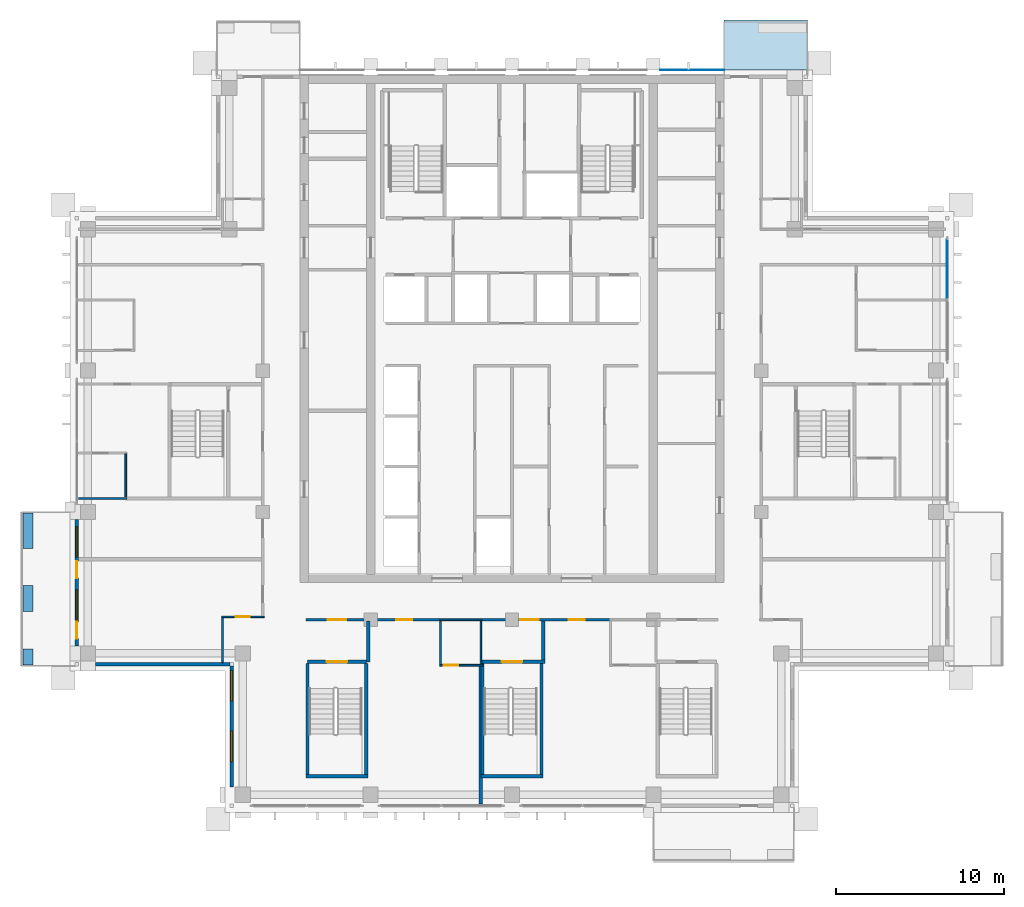
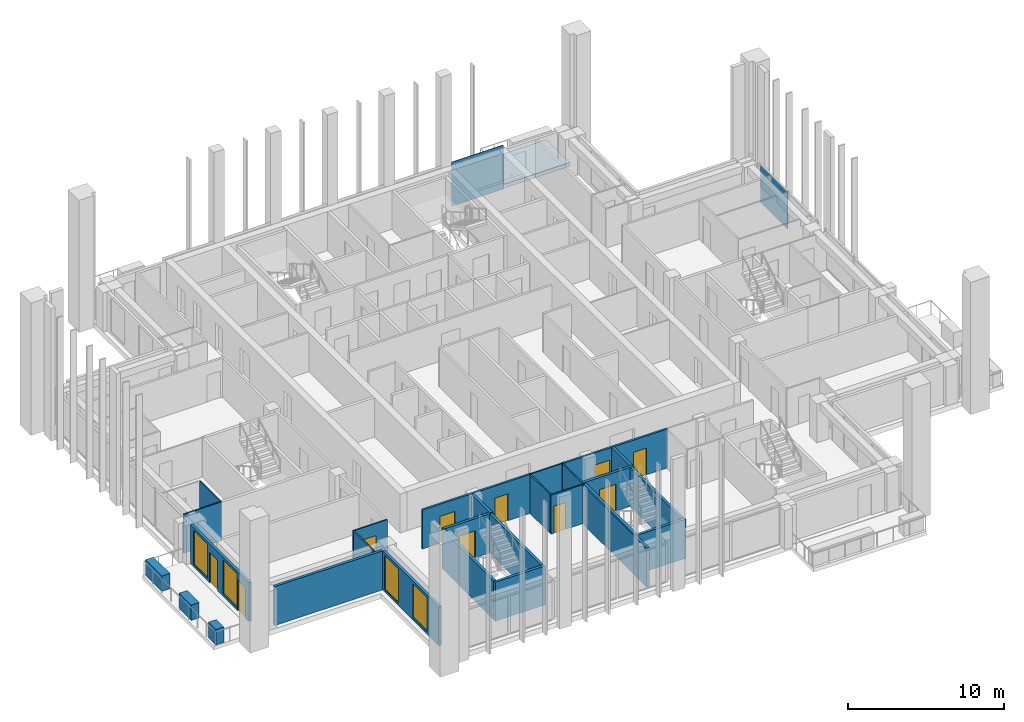
# One storey, part 9 of 20: 27 walls, 10 doors, 4 windows, 2 plates, 1 slab, 14 openings, 1 element without a shape of its own.
"""IFC4 building model written with IfcOpenShell, lengths in metres."""

from ifc_helpers import new_model, si_unit, direction, frame, frame_2d, origin, origin_2d, place, context, subcontext, project, spatial, polyline, rectangle, outline, extrude, material, layer, layer_set, type_object, element, fill, aggregate, save


model = new_model("IFC4")

# Units and contexts
model_context = context("Model", 3, precision=1e-05, world=origin(), true_north=direction((0.0, 1.0)))
body_context = subcontext(model_context, "Body", "Model", "MODEL_VIEW")
ifc_project = project(units=[si_unit("LENGTHUNIT", "METRE"), si_unit("AREAUNIT", "SQUARE_METRE"), si_unit("VOLUMEUNIT", "CUBIC_METRE"), si_unit("PLANEANGLEUNIT", "RADIAN"), si_unit("MASSUNIT", "GRAM", prefix="KILO")], contexts=[model_context])

# Site, building, storey
site_placement = place(None, origin())
site = spatial("IfcSite", under=ifc_project, at=site_placement, CompositionType="ELEMENT")
building_placement = place(site_placement, origin())
building = spatial("IfcBuilding", under=site, at=building_placement, Name="Vermilion Ogive Tower", CompositionType="ELEMENT")
storey_placement = place(building_placement, frame((0.0, 0.0, 223.449951171875)))
storey = spatial("IfcBuildingStorey", under=building, at=storey_placement, Name="L58", CompositionType="ELEMENT", Elevation=223.449951171875)

# Slab
ifc_material_1 = material(Name="Concrete B40", Category="concrete")
ifc_layer_1 = layer(ifc_material_1, 0.300048828125)
ifc_layer_set_1 = layer_set([ifc_layer_1], Name="Balcony slab")
slab_type = type_object("IfcSlabType", Name="Balcony slab", PredefinedType="FLOOR", material=ifc_layer_set_1)
slab_placement = place(storey_placement, frame((0.0, 0.0, -0.33984375)))
element("IfcSlab", 1, at=slab_placement, inside=storey, type_object=slab_type, Name="Balcony slab N101", PredefinedType="FLOOR", context=body_context, shape_type="SweptSolid", body=[
    extrude(outline(polyline([(17.550048828125, 25.030029296875), (12.60009765625, 25.030029296875), (12.60009765625, 22.050048828125), (17.550048828125, 22.050048828125), (17.550048828125, 25.030029296875)])), origin(), (0.0, 0.0, 1.0), 0.2998046875),
])

# Curtain wall, plate
ifc_material_2 = material(Name="Low-iron laminated glazing in aluminium frame", Category="aluminium")
curtain_wall_type = type_object("IfcCurtainWallType", Name="Curtain wall CW7", PredefinedType="NOTDEFINED", material=ifc_material_2)
curtain_wall_placement = place(storey_placement, origin())
curtain_wall = element("IfcCurtainWall", 2, at=curtain_wall_placement, inside=storey, type_object=curtain_wall_type, Name="Glazed skin E3", PredefinedType="NOTDEFINED")
ifc_material_3 = material(Name="Low-iron laminated glazing in aluminium frame", Category="aluminium")
ifc_layer_2 = layer(ifc_material_3, 0.031982421875)
ifc_layer_set_2 = layer_set([ifc_layer_2], Name="CW7 glazing panel 32")
plate_type_1 = type_object("IfcPlateType", Name="CW7 glazing panel 32", PredefinedType="CURTAIN_PANEL", material=ifc_layer_set_2)
plate_1_placement = place(storey_placement, frame((25.85009765625, 10.22998046875, 0.06005859375), z_axis=(0.0, 0.0, 1.0), x_axis=(0.0, 1.0, 0.0)))
plate_1 = element("IfcPlate", 3, at=plate_1_placement, type_object=plate_type_1, Name="CW7-E3 panel 2.1", PredefinedType="CURTAIN_PANEL", context=body_context, shape_type="SweptSolid", body=[
    extrude(rectangle(XDim=3.47998046875, YDim=0.031982421875, at=origin_2d()), origin(), (0.0, 0.0, 1.0), 2.929931640625),
])
aggregate(curtain_wall, [plate_1])

# Plate
ifc_material_4 = material(Name="Low-iron laminated glazing in aluminium frame", Category="aluminium")
ifc_layer_3 = layer(ifc_material_4, 0.031982421875)
ifc_layer_set_3 = layer_set([ifc_layer_3], Name="Glazed rainscreen sheet 32")
plate_type_2 = type_object("IfcPlateType", Name="Glazed rainscreen sheet 32", PredefinedType="SHEET", material=ifc_layer_set_3)
plate_2_placement = place(storey_placement, frame((10.7099609375, 22.06591796875, -0.39990234375), z_axis=(0.0, 0.0, 1.0), x_axis=(1.0, 0.0, 0.0)))
element("IfcPlate", 4, at=plate_2_placement, inside=storey, type_object=plate_type_2, Name="Glazed rainscreen sheet N6", PredefinedType="SHEET", context=body_context, shape_type="SweptSolid", body=[
    extrude(rectangle(XDim=3.820068359375, YDim=0.031982421875, at=origin_2d()), origin(), (0.0, 0.0, 1.0), 3.449951171875),
])

# Wall, opening, door
ifc_material_5 = material(Name="Gypsum board partition on steel studs", Category="steel")
ifc_layer_4 = layer(ifc_material_5, 0.10009765625)
ifc_layer_set_4 = layer_set([ifc_layer_4], Name="Partition 100 bath")
wall_type_1 = type_object("IfcWallType", Name="Partition 100 bath", PredefinedType="PARTITIONING", material=ifc_layer_set_4)
wall_1_placement = place(storey_placement, frame((-4.300048828125, -13.300048828125, 0.0), z_axis=(0.0, 0.0, 1.0), x_axis=(1.0, 0.0, 0.0)))
wall_1 = element("IfcWall", 5, at=wall_1_placement, inside=storey, type_object=wall_type_1, Name="L58-W-W002", PredefinedType="PARTITIONING", context=body_context, shape_type="SweptSolid", body=[
    extrude(rectangle(XDim=2.550048828125, YDim=0.10009765625, at=frame_2d((1.27490234375, 0.0))), origin(), (0.0, 0.0, 1.0), 3.050048828125),
])
opening_1_placement = place(wall_1_placement, frame((0.25, 0.0, 0.0)))
opening_1 = element("IfcOpeningElement", 6, at=opening_1_placement, cuts=wall_1, Name="Opening D5G1010", PredefinedType="OPENING", context=body_context, shape_type="SweptSolid", body=[
    extrude(rectangle(XDim=0.85009765625, YDim=2.10009765625, at=frame_2d((0.425048828125, 1.050048828125))), frame((0.0, 0.06005859375, 0.0), z_axis=(0.0, -1.0, 0.0), x_axis=(1.0, 0.0, 0.0)), (0.0, 0.0, 1.0), 0.1201171875),
])
ifc_material_6 = material(Name="Timber door leaf", Category="wood")
door_type_1 = type_object("IfcDoorType", Name="Bath door 850 x 2100 FD30", OperationType="SINGLE_SWING_LEFT", PredefinedType="DOOR", material=ifc_material_6)
door_1_placement = place(opening_1_placement, origin())
door_1 = element("IfcDoor", 7, at=door_1_placement, inside=storey, type_object=door_type_1, Name="L58-D-D010", OperationType="SINGLE_SWING_LEFT", OverallHeight=2.10009765625, OverallWidth=0.85009765625, PredefinedType="DOOR", context=body_context, shape_type="SweptSolid", body=[
    extrude(rectangle(XDim=0.85009765625, YDim=2.10009765625, at=frame_2d((0.425048828125, 1.050048828125))), frame((0.0, 0.02490234375, 0.0), z_axis=(0.0, -1.0, 0.0), x_axis=(1.0, 0.0, 0.0)), (0.0, 0.0, 1.0), 0.050048828125),
])
fill(opening_1, door_1)

# Wall
wall_2_placement = place(storey_placement, frame((-4.300048828125, -10.60009765625, 0.0), z_axis=(0.0, 0.0, 1.0), x_axis=(1.0, 0.0, 0.0)))
element("IfcWall", 8, at=wall_2_placement, inside=storey, type_object=wall_type_1, Name="L58-W-W008", PredefinedType="PARTITIONING", context=body_context, shape_type="SweptSolid", body=[
    extrude(rectangle(XDim=2.5, YDim=0.10009765625, at=frame_2d((1.25, 0.0))), origin(), (0.0, 0.0, 1.0), 3.050048828125),
])

# Wall, opening, door
wall_3_placement = place(storey_placement, frame((-17.25, -10.429931640625, 0.0), z_axis=(0.0, 0.0, 1.0), x_axis=(1.0, 0.0, 0.0)))
wall_3 = element("IfcWall", 9, at=wall_3_placement, inside=storey, type_object=wall_type_1, Name="L58-W-W013", PredefinedType="PARTITIONING", context=body_context, shape_type="SweptSolid", body=[
    extrude(rectangle(XDim=2.52490234375, YDim=0.10009765625, at=frame_2d((1.262451171875, 0.0))), origin(), (0.0, 0.0, 1.0), 3.050048828125),
])
opening_2_placement = place(wall_3_placement, frame((0.824951171875, 0.0, 0.0)))
opening_2 = element("IfcOpeningElement", 10, at=opening_2_placement, cuts=wall_3, Name="Opening D5G1002", PredefinedType="OPENING", context=body_context, shape_type="SweptSolid", body=[
    extrude(rectangle(XDim=0.85009765625, YDim=2.10009765625, at=frame_2d((0.425048828125, 1.050048828125))), frame((0.0, 0.06005859375, 0.0), z_axis=(0.0, -1.0, 0.0), x_axis=(1.0, 0.0, 0.0)), (0.0, 0.0, 1.0), 0.1201171875),
])
door_2_placement = place(opening_2_placement, origin())
door_2 = element("IfcDoor", 11, at=door_2_placement, inside=storey, type_object=door_type_1, Name="L58-D-D002", OperationType="SINGLE_SWING_RIGHT", OverallHeight=2.10009765625, OverallWidth=0.85009765625, PredefinedType="DOOR", context=body_context, shape_type="SweptSolid", body=[
    extrude(rectangle(XDim=0.85009765625, YDim=2.10009765625, at=frame_2d((0.425048828125, 1.050048828125))), frame((0.0, 0.02490234375, 0.0), z_axis=(0.0, -1.0, 0.0), x_axis=(1.0, 0.0, 0.0)), (0.0, 0.0, 1.0), 0.050048828125),
])
fill(opening_2, door_2)

# Walls
wall_4_placement = place(storey_placement, frame((-25.75, -3.39990234375, 0.0), z_axis=(0.0, 0.0, 1.0), x_axis=(1.0, 0.0, 0.0)))
element("IfcWall", 12, at=wall_4_placement, inside=storey, type_object=wall_type_1, Name="L58-W-W016", PredefinedType="PARTITIONING", context=body_context, shape_type="SweptSolid", body=[
    extrude(rectangle(XDim=2.85009765625, YDim=0.10009765625, at=frame_2d((1.425048828125, 0.0))), origin(), (0.0, 0.0, 1.0), 3.050048828125),
])
wall_5_placement = place(storey_placement, frame((-22.949951171875, -3.300048828125, 0.0), z_axis=(0.0, 0.0, 1.0), x_axis=(0.0, 1.0, 0.0)))
element("IfcWall", 13, at=wall_5_placement, inside=storey, type_object=wall_type_1, Name="L58-W-W039", PredefinedType="PARTITIONING", context=body_context, shape_type="SweptSolid", body=[
    extrude(rectangle(XDim=2.550048828125, YDim=0.10009765625, at=frame_2d((1.27490234375, 0.0))), origin(), (0.0, 0.0, 1.0), 3.050048828125),
])
wall_6_placement = place(storey_placement, frame((-17.199951171875, -13.14990234375, 0.0), z_axis=(0.0, 0.0, 1.0), x_axis=(0.0, 1.0, 0.0)))
element("IfcWall", 14, at=wall_6_placement, inside=storey, type_object=wall_type_1, Name="L58-W-W042", PredefinedType="PARTITIONING", context=body_context, shape_type="SweptSolid", body=[
    extrude(rectangle(XDim=2.669921875, YDim=0.10009765625, at=frame_2d((1.3349609375, 0.0))), origin(), (0.0, 0.0, 1.0), 3.050048828125),
])
for number, where, z_axis, x_axis, name in (
    (15, (-4.25, -13.25, 0.0), (0.0, 0.0, 1.0), (0.0, 1.0, 0.0), "L58-W-W049"),
    (16, (-1.85009765625, -13.25, 0.0), (0.0, 0.0, 1.0), (0.0, 1.0, 0.0), "L58-W-W051"),
):
    element("IfcWall", number, at=place(storey_placement, frame(where, z_axis=z_axis, x_axis=x_axis)), inside=storey, type_object=wall_type_1, Name=name, PredefinedType="PARTITIONING", context=body_context, shape_type="SweptSolid", body=[
        extrude(rectangle(XDim=2.574951171875, YDim=0.10009765625, at=frame_2d((1.28759765625, 0.0))), origin(), (0.0, 0.0, 1.0), 3.050048828125),
    ])

# Wall, openings, doors
ifc_material_7 = material(Name="Gypsum board partition on steel studs", Category="steel")
ifc_layer_5 = layer(ifc_material_7, 0.14990234375)
ifc_layer_set_5 = layer_set([ifc_layer_5], Name="Partition 150 corridor")
wall_type_2 = type_object("IfcWallType", Name="Partition 150 corridor", PredefinedType="PARTITIONING", material=ifc_layer_set_5)
wall_7_placement = place(storey_placement, frame((-12.25, -10.60009765625, 0.0), z_axis=(0.0, 0.0, 1.0), x_axis=(1.0, 0.0, 0.0)))
wall_7 = element("IfcWall", 17, at=wall_7_placement, inside=storey, type_object=wall_type_2, Name="L58-W-W007", PredefinedType="PARTITIONING", context=body_context, shape_type="SweptSolid", body=[
    extrude(rectangle(XDim=8.050048828125, YDim=0.14990234375, at=frame_2d((4.02490234375, 0.0))), origin(), (0.0, 0.0, 1.0), 3.050048828125),
])
opening_3_placement = place(wall_7_placement, frame((5.375, 0.0, 0.0)))
opening_3 = element("IfcOpeningElement", 18, at=opening_3_placement, cuts=wall_7, Name="Opening D5G1009", PredefinedType="OPENING", context=body_context, shape_type="SweptSolid", body=[
    extrude(rectangle(XDim=0.949951171875, YDim=2.10009765625, at=frame_2d((0.47509765625, 1.050048828125))), frame((0.0, 0.0849609375, 0.0), z_axis=(0.0, -1.0, 0.0), x_axis=(1.0, 0.0, 0.0)), (0.0, 0.0, 1.0), 0.169921875),
])
opening_4_placement = place(wall_7_placement, frame((1.300048828125, 0.0, 0.0)))
opening_4 = element("IfcOpeningElement", 19, at=opening_4_placement, cuts=wall_7, Name="Opening D5G1023", PredefinedType="OPENING", context=body_context, shape_type="SweptSolid", body=[
    extrude(rectangle(XDim=1.10009765625, YDim=2.10009765625, at=frame_2d((0.550048828125, 1.050048828125))), frame((0.0, 0.0849609375, 0.0), z_axis=(0.0, -1.0, 0.0), x_axis=(1.0, 0.0, 0.0)), (0.0, 0.0, 1.0), 0.169921875),
])
ifc_material_8 = material(Name="Timber door leaf", Category="wood")
door_type_2 = type_object("IfcDoorType", Name="Stair door 1100 x 2100 FD60S", OperationType="SINGLE_SWING_LEFT", PredefinedType="DOOR", material=ifc_material_8)
door_3_placement = place(opening_4_placement, origin())
door_3 = element("IfcDoor", 20, at=door_3_placement, inside=storey, type_object=door_type_2, Name="L58-D-D023", OperationType="SINGLE_SWING_RIGHT", OverallHeight=2.10009765625, OverallWidth=1.10009765625, PredefinedType="DOOR", context=body_context, shape_type="SweptSolid", body=[
    extrude(rectangle(XDim=1.10009765625, YDim=2.10009765625, at=frame_2d((0.550048828125, 1.050048828125))), frame((0.0, 0.02490234375, 0.0), z_axis=(0.0, -1.0, 0.0), x_axis=(1.0, 0.0, 0.0)), (0.0, 0.0, 1.0), 0.050048828125),
])
fill(opening_4, door_3)
ifc_material_9 = material(Name="Timber door leaf", Category="wood")
door_type_3 = type_object("IfcDoorType", Name="Unit door 950 x 2100 FD30S", OperationType="SINGLE_SWING_LEFT", PredefinedType="DOOR", material=ifc_material_9)
door_4_placement = place(opening_3_placement, origin())
door_4 = element("IfcDoor", 21, at=door_4_placement, inside=storey, type_object=door_type_3, Name="L58-D-D009", OperationType="SINGLE_SWING_LEFT", OverallHeight=2.10009765625, OverallWidth=0.949951171875, PredefinedType="DOOR", context=body_context, shape_type="SweptSolid", body=[
    extrude(rectangle(XDim=0.949951171875, YDim=2.10009765625, at=frame_2d((0.47509765625, 1.050048828125))), frame((0.0, 0.02490234375, 0.0), z_axis=(0.0, -1.0, 0.0), x_axis=(1.0, 0.0, 0.0)), (0.0, 0.0, 1.0), 0.050048828125),
])
fill(opening_3, door_4)

wall_8_placement = place(storey_placement, frame((-1.89990234375, -10.60009765625, 0.0), z_axis=(0.0, 0.0, 1.0), x_axis=(1.0, 0.0, 0.0)))
wall_8 = element("IfcWall", 22, at=wall_8_placement, inside=storey, type_object=wall_type_2, Name="L58-W-W009", PredefinedType="PARTITIONING", context=body_context, shape_type="SweptSolid", body=[
    extrude(rectangle(XDim=7.7998046875, YDim=0.14990234375, at=frame_2d((3.89990234375, 0.0))), origin(), (0.0, 0.0, 1.0), 3.050048828125),
])
opening_5_placement = place(wall_8_placement, frame((5.27490234375, 0.0, 0.0)))
opening_5 = element("IfcOpeningElement", 23, at=opening_5_placement, cuts=wall_8, Name="Opening D5G1011", PredefinedType="OPENING", context=body_context, shape_type="SweptSolid", body=[
    extrude(rectangle(XDim=0.949951171875, YDim=2.10009765625, at=frame_2d((0.47509765625, 1.050048828125))), frame((0.0, 0.0849609375, 0.0), z_axis=(0.0, -1.0, 0.0), x_axis=(1.0, 0.0, 0.0)), (0.0, 0.0, 1.0), 0.169921875),
])
opening_6_placement = place(wall_8_placement, frame((2.39990234375, 0.0, 0.0)))
opening_6 = element("IfcOpeningElement", 24, at=opening_6_placement, cuts=wall_8, Name="Opening D5G1025", PredefinedType="OPENING", context=body_context, shape_type="SweptSolid", body=[
    extrude(rectangle(XDim=1.10009765625, YDim=2.10009765625, at=frame_2d((0.550048828125, 1.050048828125))), frame((0.0, 0.0849609375, 0.0), z_axis=(0.0, -1.0, 0.0), x_axis=(1.0, 0.0, 0.0)), (0.0, 0.0, 1.0), 0.169921875),
])
door_5_placement = place(opening_6_placement, origin())
door_5 = element("IfcDoor", 25, at=door_5_placement, inside=storey, type_object=door_type_2, Name="L58-D-D025", OperationType="SINGLE_SWING_LEFT", OverallHeight=2.10009765625, OverallWidth=1.10009765625, PredefinedType="DOOR", context=body_context, shape_type="SweptSolid", body=[
    extrude(rectangle(XDim=1.10009765625, YDim=2.10009765625, at=frame_2d((0.550048828125, 1.050048828125))), frame((0.0, 0.02490234375, 0.0), z_axis=(0.0, -1.0, 0.0), x_axis=(1.0, 0.0, 0.0)), (0.0, 0.0, 1.0), 0.050048828125),
])
fill(opening_6, door_5)
door_6_placement = place(opening_5_placement, origin())
door_6 = element("IfcDoor", 26, at=door_6_placement, inside=storey, type_object=door_type_3, Name="L58-D-D011", OperationType="SINGLE_SWING_LEFT", OverallHeight=2.10009765625, OverallWidth=0.949951171875, PredefinedType="DOOR", context=body_context, shape_type="SweptSolid", body=[
    extrude(rectangle(XDim=0.949951171875, YDim=2.10009765625, at=frame_2d((0.47509765625, 1.050048828125))), frame((0.0, 0.02490234375, 0.0), z_axis=(0.0, -1.0, 0.0), x_axis=(1.0, 0.0, 0.0)), (0.0, 0.0, 1.0), 0.050048828125),
])
fill(opening_5, door_6)

# Walls
ifc_material_10 = material(Name="Gypsum board partition on steel studs", Category="steel")
ifc_layer_6 = layer(ifc_material_10, 0.199951171875)
ifc_layer_set_6 = layer_set([ifc_layer_6], Name="Partition 200 party")
wall_type_3 = type_object("IfcWallType", Name="Partition 200 party", PredefinedType="PARTITIONING", material=ifc_layer_set_6)
wall_9_placement = place(storey_placement, frame((-8.550048828125, -13.10009765625, 0.0), z_axis=(0.0, 0.0, 1.0), x_axis=(0.0, 1.0, 0.0)))
element("IfcWall", 27, at=wall_9_placement, inside=storey, type_object=wall_type_3, Name="L58-W-W048", PredefinedType="PARTITIONING", context=body_context, shape_type="SweptSolid", body=[
    extrude(rectangle(XDim=2.425048828125, YDim=0.199951171875, at=frame_2d((1.21240234375, 0.0))), origin(), (0.0, 0.0, 1.0), 3.050048828125),
])
ifc_material_11 = material(Name="Concrete B60", Category="concrete")
ifc_layer_7 = layer(ifc_material_11, 0.199951171875)
ifc_layer_set_7 = layer_set([ifc_layer_7], Name="Stair shaft wall 200 Concrete B60")
wall_type_4 = type_object("IfcWallType", Name="Stair shaft wall 200 Concrete B60", PredefinedType="SOLIDWALL", material=ifc_layer_set_7)
wall_10_placement = place(storey_placement, frame((-1.847900390625, -19.89990234375, 0.0), z_axis=(0.0, 0.0, 1.0), x_axis=(1.0, 0.0, 0.0)))
element("IfcWall", 28, at=wall_10_placement, inside=storey, type_object=wall_type_4, Name="L58-W-W001", PredefinedType="SOLIDWALL", context=body_context, shape_type="SweptSolid", body=[
    extrude(rectangle(XDim=3.69580078125, YDim=0.199951171875, at=frame_2d((1.847900390625, 0.0))), origin(), (0.0, 0.0, 1.0), 3.050048828125),
])

# Wall, opening, door
wall_11_placement = place(storey_placement, frame((-12.14990234375, -13.10009765625, 0.0), z_axis=(0.0, 0.0, 1.0), x_axis=(1.0, 0.0, 0.0)))
wall_11 = element("IfcWall", 29, at=wall_11_placement, inside=storey, type_object=wall_type_4, Name="L58-W-W004", PredefinedType="SOLIDWALL", context=body_context, shape_type="SweptSolid", body=[
    extrude(rectangle(XDim=3.5, YDim=0.199951171875, at=frame_2d((1.75, 0.0))), origin(), (0.0, 0.0, 1.0), 3.050048828125),
])
opening_7_placement = place(wall_11_placement, frame((1.14990234375, 0.0, 0.0)))
opening_7 = element("IfcOpeningElement", 30, at=opening_7_placement, cuts=wall_11, Name="Opening D5G1024", PredefinedType="OPENING", context=body_context, shape_type="SweptSolid", body=[
    extrude(rectangle(XDim=1.199951171875, YDim=2.10009765625, at=frame_2d((0.60009765625, 1.050048828125))), frame((0.0, 0.10986328125, 0.0), z_axis=(0.0, -1.0, 0.0), x_axis=(1.0, 0.0, 0.0)), (0.0, 0.0, 1.0), 0.219970703125),
])
ifc_material_12 = material(Name="Timber door leaf", Category="wood")
door_type_4 = type_object("IfcDoorType", Name="Stair door 1200 x 2100 FD60S", OperationType="SINGLE_SWING_LEFT", PredefinedType="DOOR", material=ifc_material_12)
door_7_placement = place(opening_7_placement, origin())
door_7 = element("IfcDoor", 31, at=door_7_placement, inside=storey, type_object=door_type_4, Name="L58-D-D024", OperationType="SINGLE_SWING_RIGHT", OverallHeight=2.10009765625, OverallWidth=1.199951171875, PredefinedType="DOOR", context=body_context, shape_type="SweptSolid", body=[
    extrude(rectangle(XDim=1.199951171875, YDim=2.10009765625, at=frame_2d((0.60009765625, 1.050048828125))), frame((0.0, 0.02490234375, 0.0), z_axis=(0.0, -1.0, 0.0), x_axis=(1.0, 0.0, 0.0)), (0.0, 0.0, 1.0), 0.050048828125),
])
fill(opening_7, door_7)

wall_12_placement = place(storey_placement, frame((-1.798095703125, -13.10009765625, 0.0), z_axis=(0.0, 0.0, 1.0), x_axis=(1.0, 0.0, 0.0)))
wall_12 = element("IfcWall", 32, at=wall_12_placement, inside=storey, type_object=wall_type_4, Name="L58-W-W005", PredefinedType="SOLIDWALL", context=body_context, shape_type="SweptSolid", body=[
    extrude(rectangle(XDim=3.74609375, YDim=0.199951171875, at=frame_2d((1.873046875, 0.0))), origin(), (0.0, 0.0, 1.0), 3.050048828125),
])
opening_8_placement = place(wall_12_placement, frame((1.197998046875, 0.0, 0.0)))
opening_8 = element("IfcOpeningElement", 33, at=opening_8_placement, cuts=wall_12, Name="Opening D5G1026", PredefinedType="OPENING", context=body_context, shape_type="SweptSolid", body=[
    extrude(rectangle(XDim=1.199951171875, YDim=2.10009765625, at=frame_2d((0.60009765625, 1.050048828125))), frame((0.0, 0.10986328125, 0.0), z_axis=(0.0, -1.0, 0.0), x_axis=(1.0, 0.0, 0.0)), (0.0, 0.0, 1.0), 0.219970703125),
])
door_8_placement = place(opening_8_placement, origin())
door_8 = element("IfcDoor", 34, at=door_8_placement, inside=storey, type_object=door_type_4, Name="L58-D-D026", OperationType="SINGLE_SWING_RIGHT", OverallHeight=2.10009765625, OverallWidth=1.199951171875, PredefinedType="DOOR", context=body_context, shape_type="SweptSolid", body=[
    extrude(rectangle(XDim=1.199951171875, YDim=2.10009765625, at=frame_2d((0.60009765625, 1.050048828125))), frame((0.0, 0.02490234375, 0.0), z_axis=(0.0, -1.0, 0.0), x_axis=(1.0, 0.0, 0.0)), (0.0, 0.0, 1.0), 0.050048828125),
])
fill(opening_8, door_8)

# Walls
wall_13_placement = place(storey_placement, frame((-1.85009765625, -21.550048828125, 0.0), z_axis=(0.0, 0.0, 1.0), x_axis=(0.0, 1.0, 0.0)))
element("IfcWall", 35, at=wall_13_placement, inside=storey, type_object=wall_type_4, Name="L58-W-W050", PredefinedType="SOLIDWALL", context=body_context, shape_type="SweptSolid", body=[
    extrude(rectangle(XDim=8.199951171875, YDim=0.199951171875, at=frame_2d((4.10009765625, 0.0))), origin(), (0.0, 0.0, 1.0), 3.050048828125),
])
for number, where, z_axis, x_axis, name in (
    (36, (-1.75, -19.798095703125, 0.0), (0.0, 0.0, 1.0), (0.0, 1.0, 0.0), "L58-W-W052"),
    (37, (1.75, -19.798095703125, 0.0), (0.0, 0.0, 1.0), (0.0, 1.0, 0.0), "L58-W-W053"),
):
    element("IfcWall", number, at=place(storey_placement, frame(where, z_axis=z_axis, x_axis=x_axis)), inside=storey, type_object=wall_type_4, Name=name, PredefinedType="SOLIDWALL", context=body_context, shape_type="SweptSolid", body=[
        extrude(rectangle(XDim=6.59619140625, YDim=0.199951171875, at=frame_2d((3.298095703125, 0.0))), origin(), (0.0, 0.0, 1.0), 3.050048828125),
    ])
wall_14_placement = place(storey_placement, frame((1.85009765625, -12.998046875, 0.0), z_axis=(0.0, 0.0, 1.0), x_axis=(0.0, 1.0, 0.0)))
element("IfcWall", 38, at=wall_14_placement, inside=storey, type_object=wall_type_4, Name="L58-W-W054", PredefinedType="SOLIDWALL", context=body_context, shape_type="SweptSolid", body=[
    extrude(rectangle(XDim=2.322998046875, YDim=0.199951171875, at=frame_2d((1.16162109375, 0.0))), origin(), (0.0, 0.0, 1.0), 3.050048828125),
])
wall_15_placement = place(storey_placement, frame((-12.25, -19.89990234375, 0.0), z_axis=(0.0, 0.0, 1.0), x_axis=(1.0, 0.0, 0.0)))
element("IfcWall", 39, at=wall_15_placement, inside=storey, type_object=wall_type_4, Name="L58-SW-ST3-S1", PredefinedType="SOLIDWALL", context=body_context, shape_type="SweptSolid", body=[
    extrude(rectangle(XDim=3.699951171875, YDim=0.199951171875, at=frame_2d((1.85009765625, 0.0))), origin(), (0.0, 0.0, 1.0), 3.050048828125),
])
for number, where, z_axis, x_axis, name in (
    (40, (-12.14990234375, -19.800048828125, 0.0), (0.0, 0.0, 1.0), (0.0, 1.0, 0.0), "L58-SW-ST3-W1"),
    (41, (-8.64990234375, -19.800048828125, 0.0), (0.0, 0.0, 1.0), (0.0, 1.0, 0.0), "L58-SW-ST3-E1"),
):
    element("IfcWall", number, at=place(storey_placement, frame(where, z_axis=z_axis, x_axis=x_axis)), inside=storey, type_object=wall_type_4, Name=name, PredefinedType="SOLIDWALL", context=body_context, shape_type="SweptSolid", body=[
        extrude(rectangle(XDim=6.60009765625, YDim=0.199951171875, at=frame_2d((3.300048828125, 0.0))), origin(), (0.0, 0.0, 1.0), 3.050048828125),
    ])
ifc_material_13 = material(Name="Concrete B40", Category="concrete")
ifc_layer_8 = layer(ifc_material_13, 0.60009765625)
ifc_layer_set_8 = layer_set([ifc_layer_8], Name="Structural planter")
wall_type_5 = type_object("IfcWallType", Name="Structural planter", PredefinedType="USERDEFINED", material=ifc_layer_set_8)
wall_16_placement = place(storey_placement, frame((-28.75, -4.260009765625, -0.0400390625), z_axis=(0.0, 0.0, 1.0), x_axis=(0.0, -1.0, 0.0)))
element("IfcWall", 42, at=wall_16_placement, inside=storey, type_object=wall_type_5, Name="Planter W03A1", ObjectType="PLANTER", PredefinedType="USERDEFINED", context=body_context, shape_type="SweptSolid", body=[
    extrude(rectangle(XDim=2.114990234375, YDim=0.60009765625, at=frame_2d((1.0576171875, 0.0))), origin(), (0.0, 0.0, 1.0), 1.2001953125),
])
wall_17_placement = place(storey_placement, frame((-28.75, -8.574951171875, -0.0400390625), z_axis=(0.0, 0.0, 1.0), x_axis=(0.0, -1.0, 0.0)))
element("IfcWall", 43, at=wall_17_placement, inside=storey, type_object=wall_type_5, Name="Planter W03A2", ObjectType="PLANTER", PredefinedType="USERDEFINED", context=body_context, shape_type="SweptSolid", body=[
    extrude(rectangle(XDim=1.550048828125, YDim=0.60009765625, at=frame_2d((0.77490234375, 0.0))), origin(), (0.0, 0.0, 1.0), 1.2001953125),
])
wall_18_placement = place(storey_placement, frame((-28.75, -12.324951171875, -0.0400390625), z_axis=(0.0, 0.0, 1.0), x_axis=(0.0, -1.0, 0.0)))
element("IfcWall", 44, at=wall_18_placement, inside=storey, type_object=wall_type_5, Name="Planter W03A3", ObjectType="PLANTER", PredefinedType="USERDEFINED", context=body_context, shape_type="SweptSolid", body=[
    extrude(rectangle(XDim=0.965087890625, YDim=0.60009765625, at=frame_2d((0.482421875, 0.0))), origin(), (0.0, 0.0, 1.0), 1.2001953125),
])

# Wall, openings, doors, windows
ifc_material_14 = material(Name="Aluminium window wall framing", Category="aluminium")
ifc_layer_9 = layer(ifc_material_14, 0.199951171875)
ifc_layer_set_9 = layer_set([ifc_layer_9], Name="Window wall")
wall_type_6 = type_object("IfcWallType", Name="Window wall", PredefinedType="STANDARD", material=ifc_layer_set_9)
wall_19_placement = place(storey_placement, frame((-25.85009765625, -4.64990234375, 0.0), z_axis=(0.0, 0.0, 1.0), x_axis=(0.0, -1.0, 0.0)))
wall_19 = element("IfcWall", 45, at=wall_19_placement, inside=storey, type_object=wall_type_6, Name="Window wall W3", PredefinedType="STANDARD", context=body_context, shape_type="SweptSolid", body=[
    extrude(rectangle(XDim=7.5, YDim=0.199951171875, at=frame_2d((3.75, 0.0))), origin(), (0.0, 0.0, 1.0), 3.050048828125),
])
opening_9_placement = place(wall_19_placement, frame((4.175048828125, 0.0, 0.199951171875)))
opening_9 = element("IfcOpeningElement", 46, at=opening_9_placement, cuts=wall_19, Name="Opening W1-W97", PredefinedType="OPENING", context=body_context, shape_type="SweptSolid", body=[
    extrude(rectangle(XDim=1.800048828125, YDim=2.64990234375, at=frame_2d((0.89990234375, 1.324951171875))), frame((0.0, 0.10986328125, 0.0), z_axis=(0.0, -1.0, 0.0), x_axis=(1.0, 0.0, 0.0)), (0.0, 0.0, 1.0), 0.219970703125),
])
opening_10_placement = place(wall_19_placement, frame((6.074951171875, 0.0, 0.0)))
opening_10 = element("IfcOpeningElement", 47, at=opening_10_placement, cuts=wall_19, Name="Opening D1-W97", PredefinedType="OPENING", context=body_context, shape_type="SweptSolid", body=[
    extrude(rectangle(XDim=1.0, YDim=2.39990234375, at=frame_2d((0.5, 1.199951171875))), frame((0.0, 0.10986328125, 0.0), z_axis=(0.0, -1.0, 0.0), x_axis=(1.0, 0.0, 0.0)), (0.0, 0.0, 1.0), 0.219970703125),
])
opening_11_placement = place(wall_19_placement, frame((0.425048828125, 0.0, 0.199951171875)))
opening_11 = element("IfcOpeningElement", 48, at=opening_11_placement, cuts=wall_19, Name="Opening W1-W98", PredefinedType="OPENING", context=body_context, shape_type="SweptSolid", body=[
    extrude(rectangle(XDim=1.800048828125, YDim=2.64990234375, at=frame_2d((0.89990234375, 1.324951171875))), frame((0.0, 0.10986328125, 0.0), z_axis=(0.0, -1.0, 0.0), x_axis=(1.0, 0.0, 0.0)), (0.0, 0.0, 1.0), 0.219970703125),
])
opening_12_placement = place(wall_19_placement, frame((2.47509765625, 0.0, 0.0)))
opening_12 = element("IfcOpeningElement", 49, at=opening_12_placement, cuts=wall_19, Name="Opening D1-W98", PredefinedType="OPENING", context=body_context, shape_type="SweptSolid", body=[
    extrude(rectangle(XDim=1.0, YDim=2.39990234375, at=frame_2d((0.5, 1.199951171875))), frame((0.0, 0.10986328125, 0.0), z_axis=(0.0, -1.0, 0.0), x_axis=(1.0, 0.0, 0.0)), (0.0, 0.0, 1.0), 0.219970703125),
])
ifc_material_15 = material(Name="Aluminium framed glazed door", Category="aluminium")
door_type_5 = type_object("IfcDoorType", Name="Balcony door D1", OperationType="SINGLE_SWING_LEFT", PredefinedType="DOOR", material=ifc_material_15)
door_9_placement = place(opening_10_placement, origin())
door_9 = element("IfcDoor", 50, at=door_9_placement, inside=storey, type_object=door_type_5, Name="Balcony door W97", OperationType="SINGLE_SWING_LEFT", OverallHeight=2.39990234375, OverallWidth=1.0, PredefinedType="DOOR", context=body_context, shape_type="SweptSolid", body=[
    extrude(rectangle(XDim=1.0, YDim=2.39990234375, at=frame_2d((0.5, 1.199951171875))), frame((0.0, 0.02490234375, 0.0), z_axis=(0.0, -1.0, 0.0), x_axis=(1.0, 0.0, 0.0)), (0.0, 0.0, 1.0), 0.050048828125),
])
fill(opening_10, door_9)
door_10_placement = place(opening_12_placement, origin())
door_10 = element("IfcDoor", 51, at=door_10_placement, inside=storey, type_object=door_type_5, Name="Balcony door W98", OperationType="SINGLE_SWING_LEFT", OverallHeight=2.39990234375, OverallWidth=1.0, PredefinedType="DOOR", context=body_context, shape_type="SweptSolid", body=[
    extrude(rectangle(XDim=1.0, YDim=2.39990234375, at=frame_2d((0.5, 1.199951171875))), frame((0.0, 0.02490234375, 0.0), z_axis=(0.0, -1.0, 0.0), x_axis=(1.0, 0.0, 0.0)), (0.0, 0.0, 1.0), 0.050048828125),
])
fill(opening_12, door_10)
ifc_material_16 = material(Name="Aluminium framed double glazing", Category="aluminium")
window_type = type_object("IfcWindowType", Name="Guest window W1", PartitioningType="SINGLE_PANEL", PredefinedType="WINDOW", material=ifc_material_16)
window_1_placement = place(opening_9_placement, origin())
window_1 = element("IfcWindow", 52, at=window_1_placement, inside=storey, type_object=window_type, Name="Window W97", OverallHeight=2.64990234375, OverallWidth=1.800048828125, PartitioningType="SINGLE_PANEL", PredefinedType="WINDOW", context=body_context, shape_type="SweptSolid", body=[
    extrude(rectangle(XDim=1.800048828125, YDim=2.64990234375, at=frame_2d((0.89990234375, 1.324951171875))), frame((0.0, 0.030029296875, 0.0), z_axis=(0.0, -1.0, 0.0), x_axis=(1.0, 0.0, 0.0)), (0.0, 0.0, 1.0), 0.06005859375),
])
fill(opening_9, window_1)
window_2_placement = place(opening_11_placement, origin())
window_2 = element("IfcWindow", 53, at=window_2_placement, inside=storey, type_object=window_type, Name="Window W98", OverallHeight=2.64990234375, OverallWidth=1.800048828125, PartitioningType="SINGLE_PANEL", PredefinedType="WINDOW", context=body_context, shape_type="SweptSolid", body=[
    extrude(rectangle(XDim=1.800048828125, YDim=2.64990234375, at=frame_2d((0.89990234375, 1.324951171875))), frame((0.0, 0.030029296875, 0.0), z_axis=(0.0, -1.0, 0.0), x_axis=(1.0, 0.0, 0.0)), (0.0, 0.0, 1.0), 0.06005859375),
])
fill(opening_11, window_2)

# Wall
wall_20_placement = place(storey_placement, frame((-24.75, -13.25, 0.0), z_axis=(0.0, 0.0, 1.0), x_axis=(1.0, 0.0, 0.0)))
element("IfcWall", 54, at=wall_20_placement, inside=storey, type_object=wall_type_6, Name="Window wall X71", PredefinedType="STANDARD", context=body_context, shape_type="SweptSolid", body=[
    extrude(rectangle(XDim=8.0, YDim=0.199951171875, at=frame_2d((4.0, 0.0))), origin(), (0.0, 0.0, 1.0), 3.050048828125),
])

# Wall, openings, windows
wall_21_placement = place(storey_placement, frame((-16.64990234375, -13.35009765625, 0.0), z_axis=(0.0, 0.0, 1.0), x_axis=(0.0, -1.0, 0.0)))
wall_21 = element("IfcWall", 55, at=wall_21_placement, inside=storey, type_object=wall_type_6, Name="Window wall X81", PredefinedType="STANDARD", context=body_context, shape_type="SweptSolid", body=[
    extrude(rectangle(XDim=7.199951171875, YDim=0.199951171875, at=frame_2d((3.60009765625, 0.0))), origin(), (0.0, 0.0, 1.0), 3.050048828125),
])
opening_13_placement = place(wall_21_placement, frame((3.875, 0.0, 0.199951171875)))
opening_13 = element("IfcOpeningElement", 56, at=opening_13_placement, cuts=wall_21, Name="Opening W1-X895", PredefinedType="OPENING", context=body_context, shape_type="SweptSolid", body=[
    extrude(rectangle(XDim=1.800048828125, YDim=2.64990234375, at=frame_2d((0.89990234375, 1.324951171875))), frame((0.0, 0.10986328125, 0.0), z_axis=(0.0, -1.0, 0.0), x_axis=(1.0, 0.0, 0.0)), (0.0, 0.0, 1.0), 0.219970703125),
])
opening_14_placement = place(wall_21_placement, frame((0.27490234375, 0.0, 0.199951171875)))
opening_14 = element("IfcOpeningElement", 57, at=opening_14_placement, cuts=wall_21, Name="Opening W1-X896", PredefinedType="OPENING", context=body_context, shape_type="SweptSolid", body=[
    extrude(rectangle(XDim=1.800048828125, YDim=2.64990234375, at=frame_2d((0.89990234375, 1.324951171875))), frame((0.0, 0.10986328125, 0.0), z_axis=(0.0, -1.0, 0.0), x_axis=(1.0, 0.0, 0.0)), (0.0, 0.0, 1.0), 0.219970703125),
])
window_3_placement = place(opening_13_placement, origin())
window_3 = element("IfcWindow", 58, at=window_3_placement, inside=storey, type_object=window_type, Name="Window X895", OverallHeight=2.64990234375, OverallWidth=1.800048828125, PartitioningType="SINGLE_PANEL", PredefinedType="WINDOW", context=body_context, shape_type="SweptSolid", body=[
    extrude(rectangle(XDim=1.800048828125, YDim=2.64990234375, at=frame_2d((0.89990234375, 1.324951171875))), frame((0.0, 0.030029296875, 0.0), z_axis=(0.0, -1.0, 0.0), x_axis=(1.0, 0.0, 0.0)), (0.0, 0.0, 1.0), 0.06005859375),
])
fill(opening_13, window_3)
window_4_placement = place(opening_14_placement, origin())
window_4 = element("IfcWindow", 59, at=window_4_placement, inside=storey, type_object=window_type, Name="Window X896", OverallHeight=2.64990234375, OverallWidth=1.800048828125, PartitioningType="SINGLE_PANEL", PredefinedType="WINDOW", context=body_context, shape_type="SweptSolid", body=[
    extrude(rectangle(XDim=1.800048828125, YDim=2.64990234375, at=frame_2d((0.89990234375, 1.324951171875))), frame((0.0, 0.030029296875, 0.0), z_axis=(0.0, -1.0, 0.0), x_axis=(1.0, 0.0, 0.0)), (0.0, 0.0, 1.0), 0.06005859375),
])
fill(opening_14, window_4)

save(model, "model.ifc")
